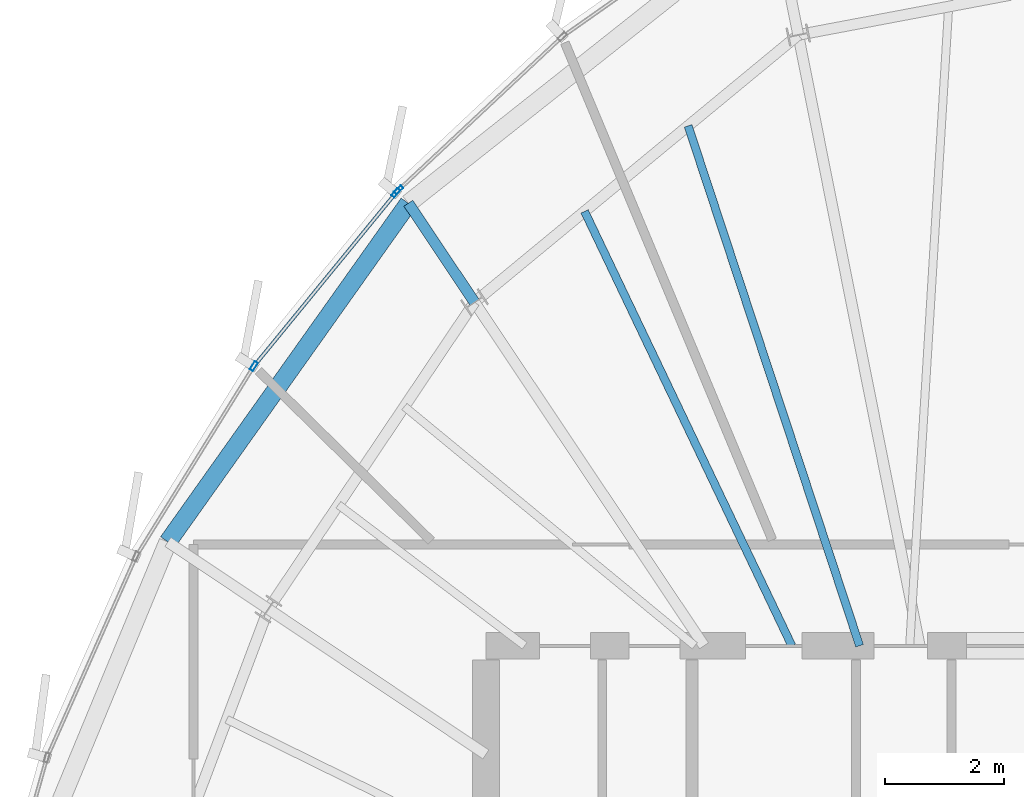
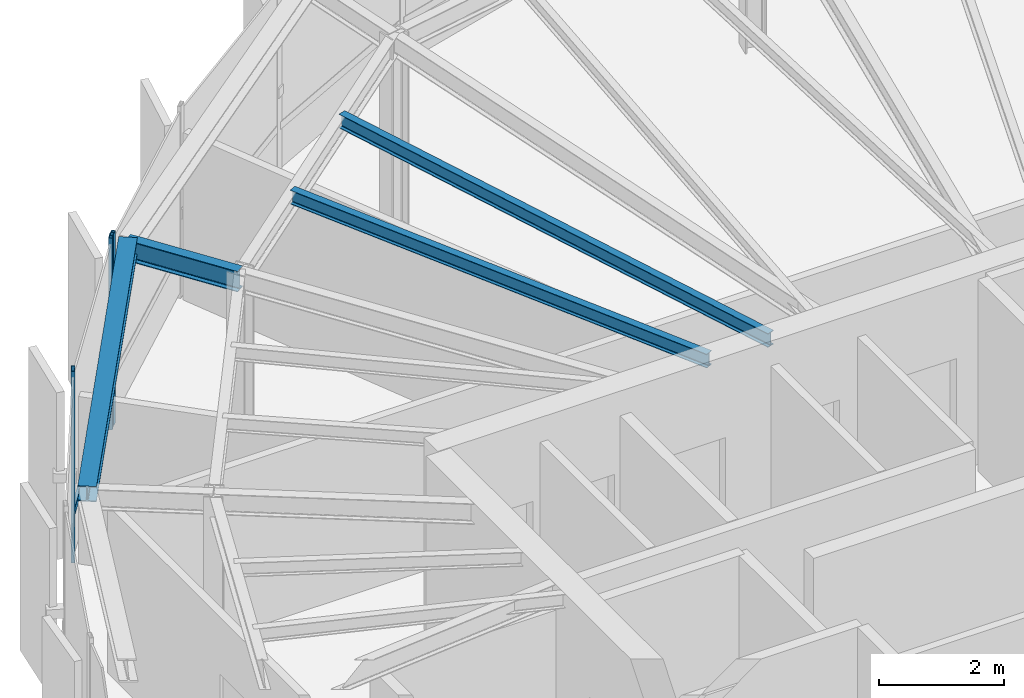
# One storey, part 14 of 26: 4 beams, 4 members, 2 elements without a shape of their own.
"""IFC4 building model written with IfcOpenShell, lengths in metres."""

from ifc_helpers import new_model, si_unit, direction, frame, origin, origin_2d, place, context, subcontext, project, spatial, hollow_rectangle, i_section, extrude, source, transform, mapped, material, layer, layer_set, material_profile, profile_set, type_object, element, aggregate, save


model = new_model("IFC4")

# Units and contexts
model_context = context("Model", 3, precision=1e-05, world=origin(), true_north=direction((0.0, 1.0)))
body_context = subcontext(model_context, "Body", "Model", "MODEL_VIEW")
ifc_project = project(units=[si_unit("LENGTHUNIT", "METRE"), si_unit("AREAUNIT", "SQUARE_METRE"), si_unit("VOLUMEUNIT", "CUBIC_METRE"), si_unit("PLANEANGLEUNIT", "RADIAN"), si_unit("MASSUNIT", "GRAM", prefix="KILO"), si_unit("THERMODYNAMICTEMPERATUREUNIT", "KELVIN")], contexts=[model_context])

# Site, building, storey
site_placement = place(None, origin())
site = spatial("IfcSite", under=ifc_project, at=site_placement, CompositionType="ELEMENT")
building_placement = place(site_placement, origin())
building = spatial("IfcBuilding", under=site, at=building_placement, Name="Kethvar Cultural Tower", CompositionType="ELEMENT")
storey_placement = place(building_placement, frame((0.0, 0.0, 316.300048828125)))
storey = spatial("IfcBuildingStorey", under=building, at=storey_placement, Name="L84", CompositionType="ELEMENT", Elevation=316.300048828125)

# Beams
ifc_material_1 = material(Name="Steel S355J2", Category="steel")
ifc_material_profile_1 = material_profile(ifc_material_1, i_section(OverallWidth=0.135009765625, OverallDepth=0.27001953125, WebThickness=0.006591796875, FlangeThickness=0.01025390625, FilletRadius=0.014892578125, at=origin_2d()), Name="Steel S355J2 — IPE270")
ifc_profile_set_1 = profile_set([ifc_material_profile_1], Name="Steel S355J2 — IPE270")
beam_type_1 = type_object("IfcBeamType", Name="BM-J270", PredefinedType="JOIST", material=ifc_profile_set_1)
shared_shape_1 = source(origin(), body_context, "Body", "SweptSolid", [
    extrude(i_section(OverallWidth=0.135009765625, OverallDepth=0.27001953125, WebThickness=0.006591796875, FlangeThickness=0.01025390625, FilletRadius=0.014892578125, at=origin_2d()), origin(), (0.0, 0.0, 1.0), 9.17138671875),
])
beam_1_placement = place(storey_placement, frame((44.260986328125, 35.5, 3.597900390625), z_axis=(-0.313151555446, 0.949703165901, 0.0), x_axis=(-0.949703165901, -0.313151555446, 0.0)))
element("IfcBeam", 1, at=beam_1_placement, inside=storey, type_object=beam_type_1, Name="L84 Composite Floor Joist J-05A", PredefinedType="JOIST", context=body_context, shape_type="MappedRepresentation", body=[
    mapped(shared_shape_1, transform((0.0, 0.0, 0.0), scale=1.0)),
])
shared_shape_2 = source(origin(), body_context, "Body", "SweptSolid", [
    extrude(i_section(OverallWidth=0.135009765625, OverallDepth=0.27001953125, WebThickness=0.006591796875, FlangeThickness=0.01025390625, FilletRadius=0.014892578125, at=origin_2d()), origin(), (0.0, 0.0, 1.0), 8.063232421875),
])
beam_2_placement = place(storey_placement, frame((43.1259765625, 35.5, 3.597900390625), z_axis=(-0.430642151588, 0.902522762746, 0.0), x_axis=(-0.902522762746, -0.430642151588, 0.0)))
element("IfcBeam", 2, at=beam_2_placement, inside=storey, type_object=beam_type_1, Name="L84 Composite Floor Joist J-05B", PredefinedType="JOIST", context=body_context, shape_type="MappedRepresentation", body=[
    mapped(shared_shape_2, transform((0.0, 0.0, 0.0), scale=1.0)),
])
ifc_material_profile_2 = material_profile(ifc_material_1, i_section(OverallWidth=0.179931640625, OverallDepth=0.39990234375, WebThickness=0.008544921875, FlangeThickness=0.013427734375, FilletRadius=0.02099609375, at=origin_2d()), Name="Steel S355J2 — IPE400")
ifc_profile_set_2 = profile_set([ifc_material_profile_2], Name="Steel S355J2 — IPE400")
beam_type_2 = type_object("IfcBeamType", Name="BM-IPE400", PredefinedType="BEAM", material=ifc_profile_set_2)
shared_shape_3 = source(origin(), body_context, "Body", "SweptSolid", [
    extrude(i_section(OverallWidth=0.179931640625, OverallDepth=0.39990234375, WebThickness=0.008544921875, FlangeThickness=0.013427734375, FilletRadius=0.02099609375, at=origin_2d()), origin(), (0.0, 0.0, 1.0), 1.9931640625),
])
beam_3_placement = place(storey_placement, frame((37.8095703125, 41.255126953125, 3.532958984375), z_axis=(-0.555519708431, 0.831503369533, 0.0), x_axis=(-0.831503369533, -0.555519708431, 0.0)))
element("IfcBeam", 3, at=beam_3_placement, inside=storey, type_object=beam_type_2, Name="L84 Perimeter Cantilever Beam RC-06", PredefinedType="BEAM", context=body_context, shape_type="MappedRepresentation", body=[
    mapped(shared_shape_3, transform((0.0, 0.0, 0.0), scale=1.0)),
])
ifc_material_profile_3 = material_profile(ifc_material_1, i_section(OverallWidth=0.300048828125, OverallDepth=0.300048828125, WebThickness=0.010986328125, FlangeThickness=0.01904296875, FilletRadius=0.027099609375, at=origin_2d()), Name="Steel S355J2 — HEB300")
ifc_profile_set_3 = profile_set([ifc_material_profile_3], Name="Steel S355J2 — HEB300")
beam_type_3 = type_object("IfcBeamType", Name="BM-SP300", PredefinedType="SPANDREL", material=ifc_profile_set_3)
shared_shape_4 = source(origin(), body_context, "Body", "SweptSolid", [
    extrude(i_section(OverallWidth=0.300048828125, OverallDepth=0.300048828125, WebThickness=0.010986328125, FlangeThickness=0.01904296875, FilletRadius=0.027099609375, at=origin_2d()), origin(), (0.0, 0.0, 1.0), 6.958251953125),
])
beam_4_placement = place(storey_placement, frame((36.702392578125, 42.912353515625, 3.5830078125), z_axis=(-0.579095458459, -0.815259743881, 0.0), x_axis=(0.815259743881, -0.579095458459, 0.0)))
element("IfcBeam", 4, at=beam_4_placement, inside=storey, type_object=beam_type_3, Name="L84 Perimeter Spandrel Beam SP-06", PredefinedType="SPANDREL", context=body_context, shape_type="MappedRepresentation", body=[
    mapped(shared_shape_4, transform((0.0, 0.0, 0.0), scale=1.0)),
])

# Curtain wall, member
ifc_material_2 = material(Name="Aluminium 6063-T6", Category="aluminium")
ifc_layer = layer(ifc_material_2, 0.179931640625, Name="Aluminium 6063-T6", Category="aluminium")
ifc_layer_set = layer_set([ifc_layer], Name="Aluminium 6063-T6 (180 mm)")
curtain_wall_type = type_object("IfcCurtainWallType", Name="CW-SYS-06-CROWN", PredefinedType="NOTDEFINED", material=ifc_layer_set)
curtain_wall_1_placement = place(storey_placement, origin())
curtain_wall_1 = element("IfcCurtainWall", 5, at=curtain_wall_1_placement, inside=storey, type_object=curtain_wall_type, Name="L84 Curtain Wall Run 01", PredefinedType="NOTDEFINED")
ifc_material_profile_4 = material_profile(ifc_material_2, hollow_rectangle(XDim=0.06494140625, YDim=0.159912109375, WallThickness=0.0048828125, at=origin_2d()), Name="Aluminium 6063-T6 — RHS160x65x5")
ifc_profile_set_4 = profile_set([ifc_material_profile_4], Name="Aluminium 6063-T6 — RHS160x65x5")
member_type_1 = type_object("IfcMemberType", Name="CW-SYS-06-CROWN-MUL", PredefinedType="MULLION", material=ifc_profile_set_4)
shared_shape_5 = source(origin(), body_context, "Body", "SweptSolid", [
    extrude(hollow_rectangle(XDim=0.06494140625, YDim=0.159912109375, WallThickness=0.0048828125, at=origin_2d()), origin(), (0.0, 0.0, 1.0), 3.73486328125),
])
member_1_placement = place(storey_placement, frame((36.539306640625, 43.136474609375, 0.0), z_axis=(0.0, 0.0, 1.0), x_axis=(0.683630516679, -0.729828278888, 0.0)))
member_1 = element("IfcMember", 6, at=member_1_placement, type_object=member_type_1, Name="CW-L84-R01 Mullion 7", PredefinedType="MULLION", context=body_context, shape_type="MappedRepresentation", body=[
    mapped(shared_shape_5, transform((0.0, 0.0, 0.0), scale=1.0)),
])
aggregate(curtain_wall_1, [member_1])

# Curtain wall, members
curtain_wall_2_placement = place(storey_placement, origin())
curtain_wall_2 = element("IfcCurtainWall", 7, at=curtain_wall_2_placement, inside=storey, type_object=curtain_wall_type, Name="L84 Curtain Wall Run 02", PredefinedType="NOTDEFINED")
member_2_placement = place(storey_placement, frame((36.492431640625, 43.08642578125, 0.0), z_axis=(0.0, 0.0, 1.0), x_axis=(0.773585892006, -0.633691460956, 0.0)))
member_2 = element("IfcMember", 8, at=member_2_placement, type_object=member_type_1, Name="CW-L84-R02 Mullion 1", PredefinedType="MULLION", context=body_context, shape_type="MappedRepresentation", body=[
    mapped(shared_shape_5, transform((0.0, 0.0, 0.0), scale=1.0)),
])
member_3_placement = place(storey_placement, frame((34.11279296875, 40.18359375, 0.0), z_axis=(0.0, 0.0, 1.0), x_axis=(0.850333856146, -0.526243606224, 0.0)))
member_3 = element("IfcMember", 9, at=member_3_placement, type_object=member_type_1, Name="CW-L84-R02 Mullion 2", PredefinedType="MULLION", context=body_context, shape_type="MappedRepresentation", body=[
    mapped(shared_shape_5, transform((0.0, 0.0, 0.0), scale=1.0)),
])
ifc_material_profile_5 = material_profile(ifc_material_2, hollow_rectangle(XDim=0.06005859375, YDim=0.139892578125, WallThickness=0.0048828125, at=origin_2d()), Name="Aluminium 6063-T6 — RHS140x60x5")
ifc_profile_set_5 = profile_set([ifc_material_profile_5], Name="Aluminium 6063-T6 — RHS140x60x5")
member_type_2 = type_object("IfcMemberType", Name="CW-SYS-06-CROWN-TRN", PredefinedType="USERDEFINED", material=ifc_profile_set_5)
shared_shape_6 = source(origin(), body_context, "Body", "SweptSolid", [
    extrude(hollow_rectangle(XDim=0.06005859375, YDim=0.139892578125, WallThickness=0.0048828125, at=origin_2d()), origin(), (0.0, 0.0, 1.0), 3.718017578125),
])
member_4_placement = place(storey_placement, frame((36.489501953125, 43.0830078125, 0.949951171875), z_axis=(-0.633709663009, -0.773570981235, 0.0), x_axis=(0.773570981235, -0.633709663009, 0.0)))
member_4 = element("IfcMember", 10, at=member_4_placement, type_object=member_type_2, Name="CW-L84-R02 Transom 1", ObjectType="TRANSOM", PredefinedType="USERDEFINED", context=body_context, shape_type="MappedRepresentation", body=[
    mapped(shared_shape_6, transform((0.0, 0.0, 0.0), scale=1.0)),
])
aggregate(curtain_wall_2, [member_2, member_3, member_4])

save(model, "model.ifc")
